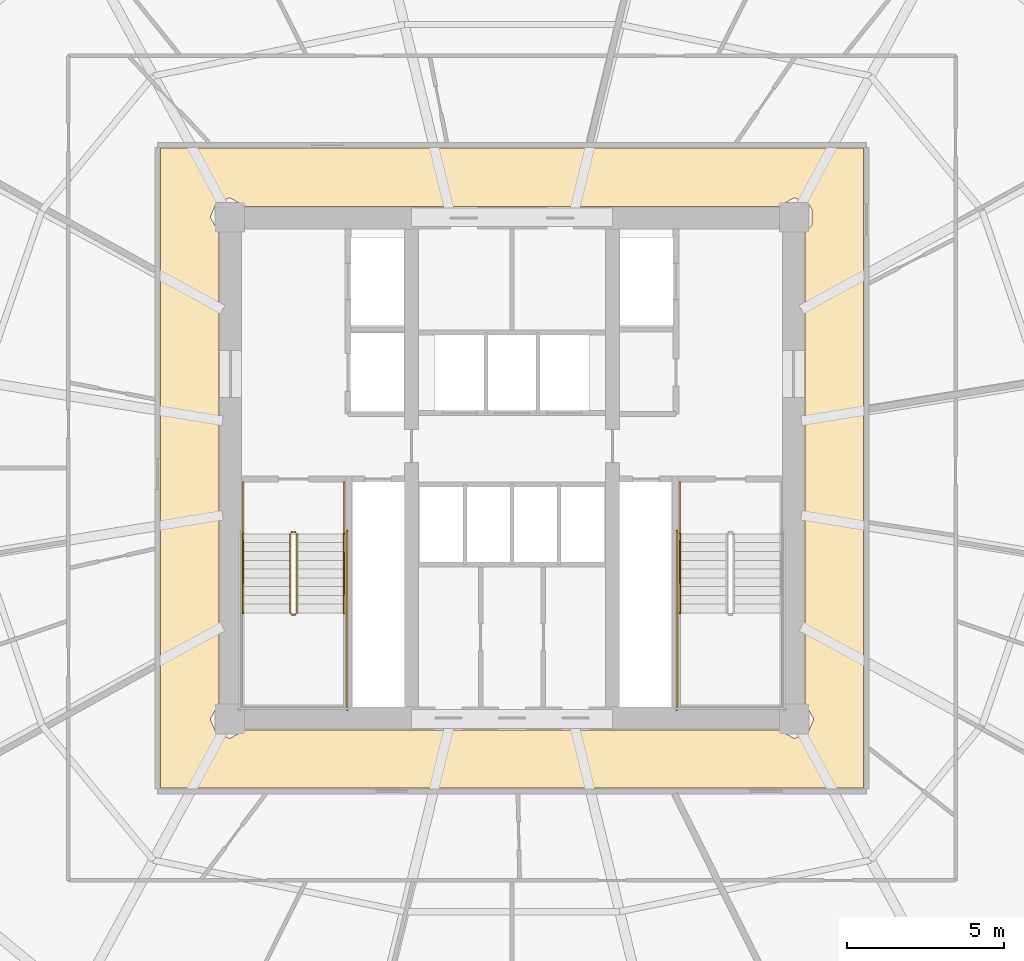
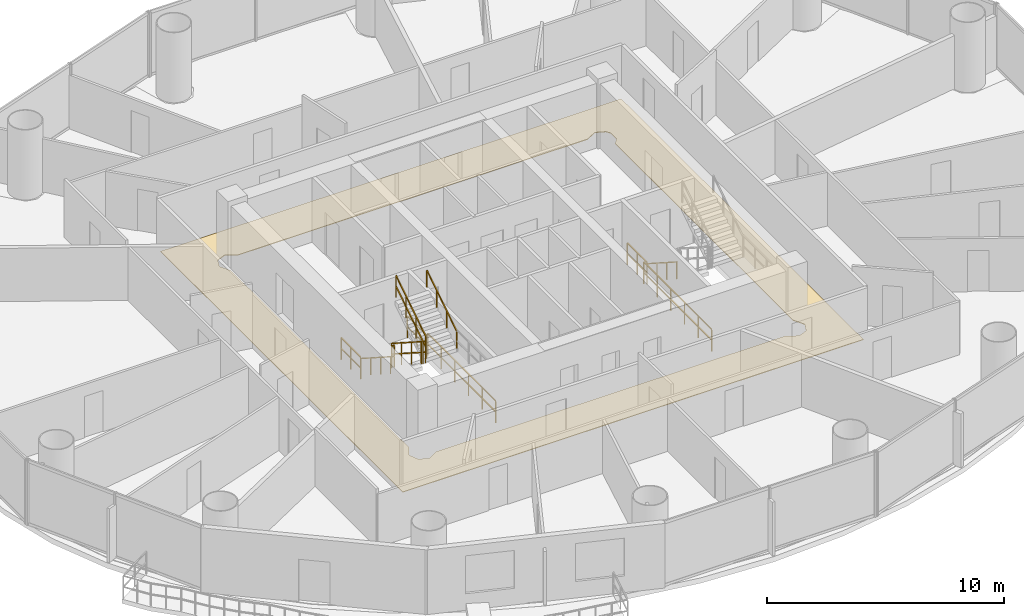
# One storey, part 26 of 28: 12 railings, 1 covering.
"""IFC4 building model written with IfcOpenShell, lengths in metres."""

from ifc_helpers import new_model, si_unit, direction, frame, origin, origin_2d, place, context, subcontext, project, spatial, polyline, rectangle, outline, extrude, material, layer, layer_set, type_object, element, save


model = new_model("IFC4")

# Units and contexts
model_context = context("Model", 3, precision=1e-05, world=origin(), true_north=direction((-0.2419218956, 0.970295726276)))
body_context = subcontext(model_context, "Body", "Model", "MODEL_VIEW")
ifc_project = project(units=[si_unit("LENGTHUNIT", "METRE"), si_unit("AREAUNIT", "SQUARE_METRE"), si_unit("VOLUMEUNIT", "CUBIC_METRE"), si_unit("PLANEANGLEUNIT", "RADIAN"), si_unit("MASSUNIT", "GRAM", prefix="KILO")], contexts=[model_context])

# Site, building, storey
site_placement = place(None, origin())
site = spatial("IfcSite", under=ifc_project, at=site_placement, CompositionType="ELEMENT")
building_placement = place(site_placement, origin())
building = spatial("IfcBuilding", under=site, at=building_placement, Name="Cobrevalo Terracotta Tower", CompositionType="ELEMENT")
storey_placement = place(building_placement, frame((0.0, 0.0, 108.60009765625)))
storey = spatial("IfcBuildingStorey", under=building, at=storey_placement, Name="L28", CompositionType="ELEMENT", Elevation=108.60009765625)

# Covering
ifc_material_1 = material(Name="Honed terracotta and granite tile", Category="masonry")
ifc_layer = layer(ifc_material_1, 0.034912109375)
ifc_layer_set = layer_set([ifc_layer], Name="Honed terracotta and granite tile")
covering_type = type_object("IfcCoveringType", Name="Honed Terracotta & Granite Interior Flooring 35", PredefinedType="FLOORING", material=ifc_layer_set)
covering_placement = place(storey_placement, origin())
element("IfcCovering", 1, at=covering_placement, inside=storey, type_object=covering_type, Name="L28 Residential Floor Corridor floor finish", PredefinedType="FLOORING", context=body_context, shape_type="SweptSolid", body=[
    extrude(outline(polyline([(49.205078125, 37.0048828125), (49.205078125, 16.594970703125), (26.794921875, 16.594970703125), (26.794921875, 37.0048828125), (49.205078125, 37.0048828125)]), holes=[polyline([(47.344970703125, 34.298828125), (47.5732421875, 34.5625), (47.5732421875, 35.037353515625), (47.438720703125, 35.23876953125), (47.0, 35.42041015625), (46.498779296875, 35.14501953125), (29.501220703125, 35.14501953125), (29.0, 35.42041015625), (28.561279296875, 35.23876953125), (28.379638671875, 34.800048828125), (28.655029296875, 34.298828125), (28.655029296875, 19.30126953125), (28.379638671875, 18.800048828125), (28.561279296875, 18.361328125), (29.0, 18.1796875), (29.501220703125, 18.455078125), (46.498779296875, 18.455078125), (47.0, 18.1796875), (47.438720703125, 18.361328125), (47.620361328125, 18.800048828125), (47.344970703125, 19.30126953125), (47.344970703125, 34.298828125)])]), origin(), (0.0, 0.0, 1.0), 0.02978515625),
])

# Railings
ifc_material_2 = material(Name="Brushed stainless steel", Category="steel")
railing_type_1 = type_object("IfcRailingType", Name="Stainless Steel Stair Handrail 900", PredefinedType="HANDRAIL", material=ifc_material_2)
railing_1_placement = place(storey_placement, frame((29.425048828125, 24.699951171875, 0.179931640625)))
element("IfcRailing", 2, at=railing_1_placement, inside=storey, type_object=railing_type_1, Name="L28 ST-1 stair handrail 1", PredefinedType="HANDRAIL", context=body_context, shape_type="SweptSolid", body=[
    extrude(rectangle(XDim=0.048095703125, YDim=0.048095703125, at=origin_2d()), frame((0.0, 0.0, 0.8759765625), z_axis=(0.0, -0.841199657755, 0.540724639528), x_axis=(1.0, 0.0, 0.0)), (0.0, 0.0, 1.0), 2.995849609375),
    extrude(rectangle(XDim=0.0419921875, YDim=0.0419921875, at=origin_2d()), origin(), (0.0, 0.0, 1.0), 0.851806640625),
    extrude(rectangle(XDim=0.0419921875, YDim=0.0419921875, at=origin_2d()), frame((0.0, -0.840087890625, 0.5400390625)), (0.0, 0.0, 1.0), 0.851806640625),
    extrude(rectangle(XDim=0.0419921875, YDim=0.0419921875, at=origin_2d()), frame((0.0, -1.679931640625, 1.079833984375)), (0.0, 0.0, 1.0), 0.851806640625),
    extrude(rectangle(XDim=0.0419921875, YDim=0.0419921875, at=origin_2d()), frame((0.0, -2.52001953125, 1.619873046875)), (0.0, 0.0, 1.0), 0.851806640625),
])
railing_2_placement = place(storey_placement, frame((32.64501953125, 22.179931640625, 1.97998046875)))
element("IfcRailing", 3, at=railing_2_placement, inside=storey, type_object=railing_type_1, Name="L28 ST-1 stair handrail 2", PredefinedType="HANDRAIL", context=body_context, shape_type="SweptSolid", body=[
    extrude(rectangle(XDim=0.048095703125, YDim=0.048095703125, at=origin_2d()), frame((0.0, 0.0, 0.8759765625), z_axis=(0.0, 0.841199657755, 0.540724639528), x_axis=(-1.0, 0.0, 0.0)), (0.0, 0.0, 1.0), 2.995849609375),
    extrude(rectangle(XDim=0.0419921875, YDim=0.0419921875, at=origin_2d()), origin(), (0.0, 0.0, 1.0), 0.851806640625),
    extrude(rectangle(XDim=0.0419921875, YDim=0.0419921875, at=origin_2d()), frame((0.0, 0.840087890625, 0.5400390625)), (0.0, 0.0, 1.0), 0.851806640625),
    extrude(rectangle(XDim=0.0419921875, YDim=0.0419921875, at=origin_2d()), frame((0.0, 1.679931640625, 1.079833984375)), (0.0, 0.0, 1.0), 0.851806640625),
    extrude(rectangle(XDim=0.0419921875, YDim=0.0419921875, at=origin_2d()), frame((0.0, 2.52001953125, 1.619873046875)), (0.0, 0.0, 1.0), 0.851806640625),
])
railing_3_placement = place(storey_placement, frame((43.35498046875, 24.699951171875, 0.179931640625)))
element("IfcRailing", 4, at=railing_3_placement, inside=storey, type_object=railing_type_1, Name="L28 ST-2 stair handrail 1", PredefinedType="HANDRAIL", context=body_context, shape_type="SweptSolid", body=[
    extrude(rectangle(XDim=0.048095703125, YDim=0.048095703125, at=origin_2d()), frame((0.0, 0.0, 0.8759765625), z_axis=(0.0, -0.841199657755, 0.540724639528), x_axis=(1.0, 0.0, 0.0)), (0.0, 0.0, 1.0), 2.995849609375),
    extrude(rectangle(XDim=0.0419921875, YDim=0.0419921875, at=origin_2d()), origin(), (0.0, 0.0, 1.0), 0.851806640625),
    extrude(rectangle(XDim=0.0419921875, YDim=0.0419921875, at=origin_2d()), frame((0.0, -0.840087890625, 0.5400390625)), (0.0, 0.0, 1.0), 0.851806640625),
    extrude(rectangle(XDim=0.0419921875, YDim=0.0419921875, at=origin_2d()), frame((0.0, -1.679931640625, 1.079833984375)), (0.0, 0.0, 1.0), 0.851806640625),
    extrude(rectangle(XDim=0.0419921875, YDim=0.0419921875, at=origin_2d()), frame((0.0, -2.52001953125, 1.619873046875)), (0.0, 0.0, 1.0), 0.851806640625),
])
ifc_material_3 = material(Name="Painted galvanized steel", Category="steel")
railing_type_2 = type_object("IfcRailingType", Name="Stair Well Guard Balustrade 1150", PredefinedType="GUARDRAIL", material=ifc_material_3)
railing_4_placement = place(storey_placement, frame((30.925048828125, 24.699951171875, 0.179931640625)))
element("IfcRailing", 5, at=railing_4_placement, inside=storey, type_object=railing_type_2, Name="L28 ST-1 stair guard 1", PredefinedType="GUARDRAIL", context=body_context, shape_type="SweptSolid", body=[
    extrude(rectangle(XDim=0.048095703125, YDim=0.048095703125, at=origin_2d()), frame((0.0, 0.0, 1.1259765625), z_axis=(0.0, -0.841199657755, 0.540724639528), x_axis=(1.0, 0.0, 0.0)), (0.0, 0.0, 1.0), 2.995849609375),
    extrude(rectangle(XDim=0.048095703125, YDim=0.048095703125, at=origin_2d()), frame((0.0, 0.0, 0.574951171875), z_axis=(0.0, -0.841199657755, 0.540724639528), x_axis=(1.0, 0.0, 0.0)), (0.0, 0.0, 1.0), 2.995849609375),
    extrude(rectangle(XDim=0.0419921875, YDim=0.0419921875, at=origin_2d()), origin(), (0.0, 0.0, 1.0), 1.101806640625),
    extrude(rectangle(XDim=0.0419921875, YDim=0.0419921875, at=origin_2d()), frame((0.0, -0.840087890625, 0.5400390625)), (0.0, 0.0, 1.0), 1.101806640625),
    extrude(rectangle(XDim=0.0419921875, YDim=0.0419921875, at=origin_2d()), frame((0.0, -1.679931640625, 1.079833984375)), (0.0, 0.0, 1.0), 1.101806640625),
    extrude(rectangle(XDim=0.0419921875, YDim=0.0419921875, at=origin_2d()), frame((0.0, -2.52001953125, 1.619873046875)), (0.0, 0.0, 1.0), 1.101806640625),
])
railing_5_placement = place(storey_placement, frame((30.97509765625, 22.1298828125, 1.7998046875)))
element("IfcRailing", 6, at=railing_5_placement, inside=storey, type_object=railing_type_2, Name="L28 ST-1 stair guard 2", PredefinedType="GUARDRAIL", context=body_context, shape_type="SweptSolid", body=[
    extrude(rectangle(XDim=0.048095703125, YDim=0.048095703125, at=origin_2d()), frame((0.0, 0.0, 1.1259765625), z_axis=(1.0, 0.0, 0.0), x_axis=(0.0, 1.0, 0.0)), (0.0, 0.0, 1.0), 0.119873046875),
    extrude(rectangle(XDim=0.048095703125, YDim=0.048095703125, at=origin_2d()), frame((0.0, 0.0, 0.574951171875), z_axis=(1.0, 0.0, 0.0), x_axis=(0.0, 1.0, 0.0)), (0.0, 0.0, 1.0), 0.119873046875),
    extrude(rectangle(XDim=0.0419921875, YDim=0.0419921875, at=origin_2d()), origin(), (0.0, 0.0, 1.0), 1.101806640625),
    extrude(rectangle(XDim=0.0419921875, YDim=0.0419921875, at=origin_2d()), frame((0.119873046875, 0.0, 0.0)), (0.0, 0.0, 1.0), 1.101806640625),
])
railing_6_placement = place(storey_placement, frame((31.14501953125, 22.179931640625, 1.97998046875)))
element("IfcRailing", 7, at=railing_6_placement, inside=storey, type_object=railing_type_2, Name="L28 ST-1 stair guard 6", PredefinedType="GUARDRAIL", context=body_context, shape_type="SweptSolid", body=[
    extrude(rectangle(XDim=0.048095703125, YDim=0.048095703125, at=origin_2d()), frame((0.0, 0.0, 1.1259765625), z_axis=(0.0, 0.841199657755, 0.540724639528), x_axis=(-1.0, 0.0, 0.0)), (0.0, 0.0, 1.0), 2.995849609375),
    extrude(rectangle(XDim=0.048095703125, YDim=0.048095703125, at=origin_2d()), frame((0.0, 0.0, 0.574951171875), z_axis=(0.0, 0.841199657755, 0.540724639528), x_axis=(-1.0, 0.0, 0.0)), (0.0, 0.0, 1.0), 2.995849609375),
    extrude(rectangle(XDim=0.0419921875, YDim=0.0419921875, at=origin_2d()), origin(), (0.0, 0.0, 1.0), 1.101806640625),
    extrude(rectangle(XDim=0.0419921875, YDim=0.0419921875, at=origin_2d()), frame((0.0, 0.840087890625, 0.5400390625)), (0.0, 0.0, 1.0), 1.101806640625),
    extrude(rectangle(XDim=0.0419921875, YDim=0.0419921875, at=origin_2d()), frame((0.0, 1.679931640625, 1.079833984375)), (0.0, 0.0, 1.0), 1.101806640625),
    extrude(rectangle(XDim=0.0419921875, YDim=0.0419921875, at=origin_2d()), frame((0.0, 2.52001953125, 1.619873046875)), (0.0, 0.0, 1.0), 1.101806640625),
])
railing_7_placement = place(storey_placement, frame((30.97509765625, 24.75, 0.0)))
element("IfcRailing", 8, at=railing_7_placement, inside=storey, type_object=railing_type_2, Name="L28 ST-1 stair guard 7", PredefinedType="GUARDRAIL", context=body_context, shape_type="SweptSolid", body=[
    extrude(rectangle(XDim=0.048095703125, YDim=0.048095703125, at=origin_2d()), frame((0.0, 0.0, 1.1259765625), z_axis=(1.0, 0.0, 0.0), x_axis=(0.0, 1.0, 0.0)), (0.0, 0.0, 1.0), 0.119873046875),
    extrude(rectangle(XDim=0.048095703125, YDim=0.048095703125, at=origin_2d()), frame((0.0, 0.0, 0.574951171875), z_axis=(1.0, 0.0, 0.0), x_axis=(0.0, 1.0, 0.0)), (0.0, 0.0, 1.0), 0.119873046875),
    extrude(rectangle(XDim=0.0419921875, YDim=0.0419921875, at=origin_2d()), origin(), (0.0, 0.0, 1.0), 1.101806640625),
    extrude(rectangle(XDim=0.0419921875, YDim=0.0419921875, at=origin_2d()), frame((0.119873046875, 0.0, 0.0)), (0.0, 0.0, 1.0), 1.101806640625),
])
for number, where, name in (
    (9, (29.425048828125, 26.35009765625, 0.0), "L28 ST-1 stair guard 8"),
    (10, (32.64501953125, 26.35009765625, 0.0), "L28 ST-1 stair guard 9"),
):
    element("IfcRailing", number, at=place(storey_placement, frame(where)), inside=storey, type_object=railing_type_2, Name=name, PredefinedType="GUARDRAIL", context=body_context, shape_type="SweptSolid", body=[
        extrude(rectangle(XDim=0.048095703125, YDim=0.048095703125, at=origin_2d()), frame((0.0, 0.0, 1.1259765625), z_axis=(0.0, -1.0, 0.0), x_axis=(1.0, 0.0, 0.0)), (0.0, 0.0, 1.0), 1.650146484375),
        extrude(rectangle(XDim=0.048095703125, YDim=0.048095703125, at=origin_2d()), frame((0.0, 0.0, 0.574951171875), z_axis=(0.0, -1.0, 0.0), x_axis=(1.0, 0.0, 0.0)), (0.0, 0.0, 1.0), 1.650146484375),
        extrude(rectangle(XDim=0.0419921875, YDim=0.0419921875, at=origin_2d()), origin(), (0.0, 0.0, 1.0), 1.101806640625),
        extrude(rectangle(XDim=0.0419921875, YDim=0.0419921875, at=origin_2d()), frame((0.0, -0.8251953125, 0.0)), (0.0, 0.0, 1.0), 1.101806640625),
        extrude(rectangle(XDim=0.0419921875, YDim=0.0419921875, at=origin_2d()), frame((0.0, -1.650146484375, 0.0)), (0.0, 0.0, 1.0), 1.101806640625),
    ])
railing_8_placement = place(storey_placement, frame((32.7451171875, 24.800048828125, 0.0)))
element("IfcRailing", 11, at=railing_8_placement, inside=storey, type_object=railing_type_2, Name="L28 ST-1 stair guard 11", PredefinedType="GUARDRAIL", context=body_context, shape_type="SweptSolid", body=[
    extrude(rectangle(XDim=0.048095703125, YDim=0.048095703125, at=origin_2d()), frame((0.0, 0.0, 1.1259765625), z_axis=(0.0, -1.0, 0.0), x_axis=(1.0, 0.0, 0.0)), (0.0, 0.0, 1.0), 5.72509765625),
    extrude(rectangle(XDim=0.048095703125, YDim=0.048095703125, at=origin_2d()), frame((0.0, 0.0, 0.574951171875), z_axis=(0.0, -1.0, 0.0), x_axis=(1.0, 0.0, 0.0)), (0.0, 0.0, 1.0), 5.72509765625),
    extrude(rectangle(XDim=0.0419921875, YDim=0.0419921875, at=origin_2d()), origin(), (0.0, 0.0, 1.0), 1.101806640625),
    extrude(rectangle(XDim=0.0419921875, YDim=0.0419921875, at=origin_2d()), frame((0.0, -1.14501953125, 0.0)), (0.0, 0.0, 1.0), 1.101806640625),
    extrude(rectangle(XDim=0.0419921875, YDim=0.0419921875, at=origin_2d()), frame((0.0, -2.2900390625, 0.0)), (0.0, 0.0, 1.0), 1.101806640625),
    extrude(rectangle(XDim=0.0419921875, YDim=0.0419921875, at=origin_2d()), frame((0.0, -3.43505859375, 0.0)), (0.0, 0.0, 1.0), 1.101806640625),
    extrude(rectangle(XDim=0.0419921875, YDim=0.0419921875, at=origin_2d()), frame((0.0, -4.580078125, 0.0)), (0.0, 0.0, 1.0), 1.101806640625),
    extrude(rectangle(XDim=0.0419921875, YDim=0.0419921875, at=origin_2d()), frame((0.0, -5.72509765625, 0.0)), (0.0, 0.0, 1.0), 1.101806640625),
])
railing_9_placement = place(storey_placement, frame((43.35498046875, 26.35009765625, 0.0)))
element("IfcRailing", 12, at=railing_9_placement, inside=storey, type_object=railing_type_2, Name="L28 ST-2 stair guard 8", PredefinedType="GUARDRAIL", context=body_context, shape_type="SweptSolid", body=[
    extrude(rectangle(XDim=0.048095703125, YDim=0.048095703125, at=origin_2d()), frame((0.0, 0.0, 1.1259765625), z_axis=(0.0, -1.0, 0.0), x_axis=(1.0, 0.0, 0.0)), (0.0, 0.0, 1.0), 1.650146484375),
    extrude(rectangle(XDim=0.048095703125, YDim=0.048095703125, at=origin_2d()), frame((0.0, 0.0, 0.574951171875), z_axis=(0.0, -1.0, 0.0), x_axis=(1.0, 0.0, 0.0)), (0.0, 0.0, 1.0), 1.650146484375),
    extrude(rectangle(XDim=0.0419921875, YDim=0.0419921875, at=origin_2d()), origin(), (0.0, 0.0, 1.0), 1.101806640625),
    extrude(rectangle(XDim=0.0419921875, YDim=0.0419921875, at=origin_2d()), frame((0.0, -0.8251953125, 0.0)), (0.0, 0.0, 1.0), 1.101806640625),
    extrude(rectangle(XDim=0.0419921875, YDim=0.0419921875, at=origin_2d()), frame((0.0, -1.650146484375, 0.0)), (0.0, 0.0, 1.0), 1.101806640625),
])
railing_10_placement = place(storey_placement, frame((43.2548828125, 24.800048828125, 0.0)))
element("IfcRailing", 13, at=railing_10_placement, inside=storey, type_object=railing_type_2, Name="L28 ST-2 stair guard 10", PredefinedType="GUARDRAIL", context=body_context, shape_type="SweptSolid", body=[
    extrude(rectangle(XDim=0.048095703125, YDim=0.048095703125, at=origin_2d()), frame((0.0, 0.0, 1.1259765625), z_axis=(0.0, -1.0, 0.0), x_axis=(1.0, 0.0, 0.0)), (0.0, 0.0, 1.0), 5.72509765625),
    extrude(rectangle(XDim=0.048095703125, YDim=0.048095703125, at=origin_2d()), frame((0.0, 0.0, 0.574951171875), z_axis=(0.0, -1.0, 0.0), x_axis=(1.0, 0.0, 0.0)), (0.0, 0.0, 1.0), 5.72509765625),
    extrude(rectangle(XDim=0.0419921875, YDim=0.0419921875, at=origin_2d()), origin(), (0.0, 0.0, 1.0), 1.101806640625),
    extrude(rectangle(XDim=0.0419921875, YDim=0.0419921875, at=origin_2d()), frame((0.0, -1.14501953125, 0.0)), (0.0, 0.0, 1.0), 1.101806640625),
    extrude(rectangle(XDim=0.0419921875, YDim=0.0419921875, at=origin_2d()), frame((0.0, -2.2900390625, 0.0)), (0.0, 0.0, 1.0), 1.101806640625),
    extrude(rectangle(XDim=0.0419921875, YDim=0.0419921875, at=origin_2d()), frame((0.0, -3.43505859375, 0.0)), (0.0, 0.0, 1.0), 1.101806640625),
    extrude(rectangle(XDim=0.0419921875, YDim=0.0419921875, at=origin_2d()), frame((0.0, -4.580078125, 0.0)), (0.0, 0.0, 1.0), 1.101806640625),
    extrude(rectangle(XDim=0.0419921875, YDim=0.0419921875, at=origin_2d()), frame((0.0, -5.72509765625, 0.0)), (0.0, 0.0, 1.0), 1.101806640625),
])

save(model, "model.ifc")
